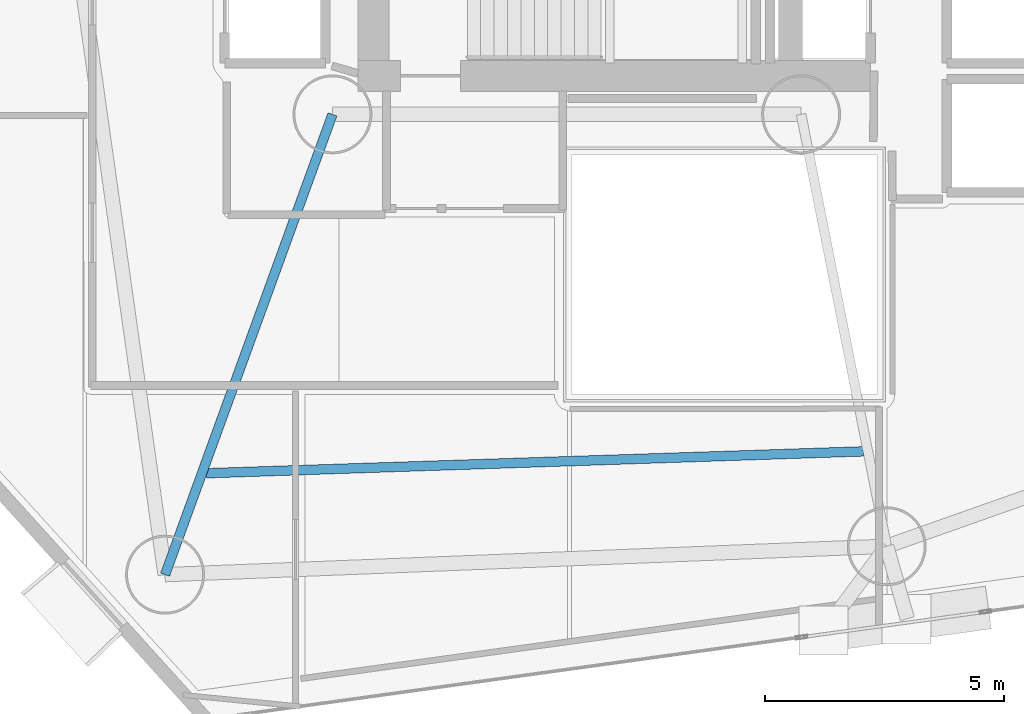
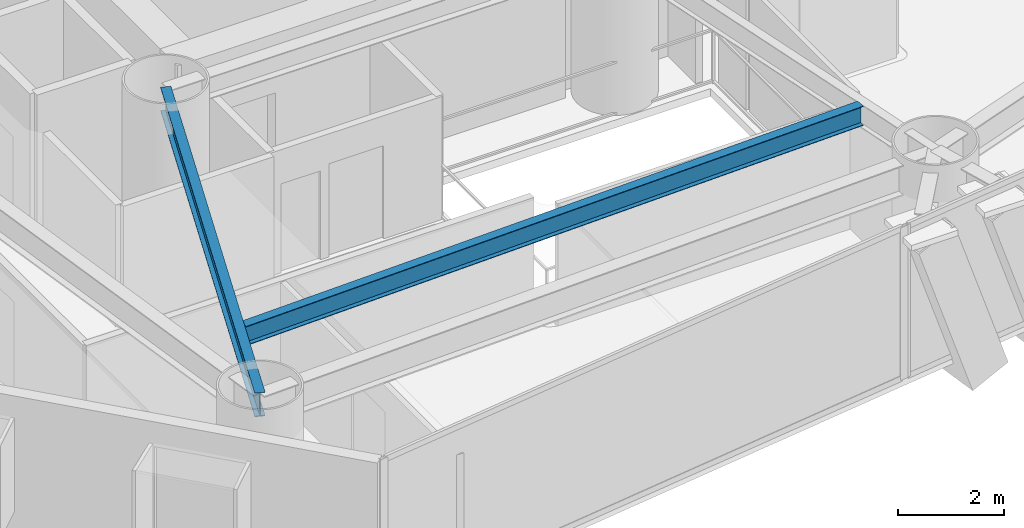
# One storey, part 3 of 23: 2 beams.
"""IFC4 building model written with IfcOpenShell, lengths in metres."""

from ifc_helpers import new_model, si_unit, direction, frame, origin, origin_2d, place, context, subcontext, project, spatial, i_section, extrude, material, material_profile, profile_set, type_object, element, save


model = new_model("IFC4")

# Units and contexts
model_context = context("Model", 3, precision=1e-05, world=origin(), true_north=direction((0.0, 1.0)))
body_context = subcontext(model_context, "Body", "Model", "MODEL_VIEW")
ifc_project = project(units=[si_unit("LENGTHUNIT", "METRE"), si_unit("AREAUNIT", "SQUARE_METRE"), si_unit("VOLUMEUNIT", "CUBIC_METRE"), si_unit("PLANEANGLEUNIT", "RADIAN"), si_unit("MASSUNIT", "GRAM", prefix="KILO")], contexts=[model_context])

# Site, building, storey
site_placement = place(None, origin())
site = spatial("IfcSite", under=ifc_project, at=site_placement, CompositionType="ELEMENT")
building_placement = place(site_placement, origin())
building = spatial("IfcBuilding", under=site, at=building_placement, Name="Qianvela Tower", CompositionType="ELEMENT")
storey_placement = place(building_placement, frame((0.0, 0.0, 74.699951171875)))
storey = spatial("IfcBuildingStorey", under=building, at=storey_placement, Name="L18", CompositionType="ELEMENT", Elevation=74.699951171875)

# Beams
ifc_material_1 = material(Name="Steel Q355B", Category="steel")
ifc_material_profile_1 = material_profile(ifc_material_1, i_section(OverallWidth=0.199951171875, OverallDepth=0.449951171875, WebThickness=0.009033203125, FlangeThickness=0.013916015625, at=origin_2d()), Name="HN450x200x9x14")
ifc_profile_set_1 = profile_set([ifc_material_profile_1], Name="Steel Q355B")
beam_type_1 = type_object("IfcBeamType", Name="BM-HN450-JOIST", PredefinedType="JOIST", material=ifc_profile_set_1)
beam_1_placement = place(storey_placement, frame((25.9658203125, 16.345703125, 3.29296875), z_axis=(0.999447329793, 0.033242066273, 0.0), x_axis=(-0.033242066273, 0.999447329793, 0.0)))
element("IfcBeam", 1, at=beam_1_placement, inside=storey, type_object=beam_type_1, Name="L18 Secondary Composite Floor Joist 5.3", PredefinedType="JOIST", context=body_context, shape_type="SweptSolid", body=[
    extrude(i_section(OverallWidth=0.199951171875, OverallDepth=0.449951171875, WebThickness=0.009033203125, FlangeThickness=0.013916015625, at=origin_2d()), origin(), (0.0, 0.0, 1.0), 13.7412109375),
])
ifc_material_2 = material(Name="Steel Q355B", Category="steel")
ifc_material_profile_2 = material_profile(ifc_material_2, i_section(OverallWidth=0.199951171875, OverallDepth=0.550048828125, WebThickness=0.010009765625, FlangeThickness=0.01611328125, at=origin_2d()), Name="HN550x200x10x16")
ifc_profile_set_2 = profile_set([ifc_material_profile_2], Name="Steel Q355B")
beam_type_2 = type_object("IfcBeamType", Name="BM-HN550-GIRD", PredefinedType="BEAM", material=ifc_profile_set_2)
beam_2_placement = place(storey_placement, frame((28.60009765625, 23.85009765625, 3.2431640625), z_axis=(-0.341743063087, -0.939793423488, 0.0), x_axis=(0.939793423488, -0.341743063087, 0.0)))
element("IfcBeam", 2, at=beam_2_placement, inside=storey, type_object=beam_type_2, Name="L18 Radial Primary Floor Girder 5", PredefinedType="BEAM", context=body_context, shape_type="SweptSolid", body=[
    extrude(i_section(OverallWidth=0.199951171875, OverallDepth=0.550048828125, WebThickness=0.010009765625, FlangeThickness=0.01611328125, at=origin_2d()), origin(), (0.0, 0.0, 1.0), 10.24169921875),
])

save(model, "model.ifc")
